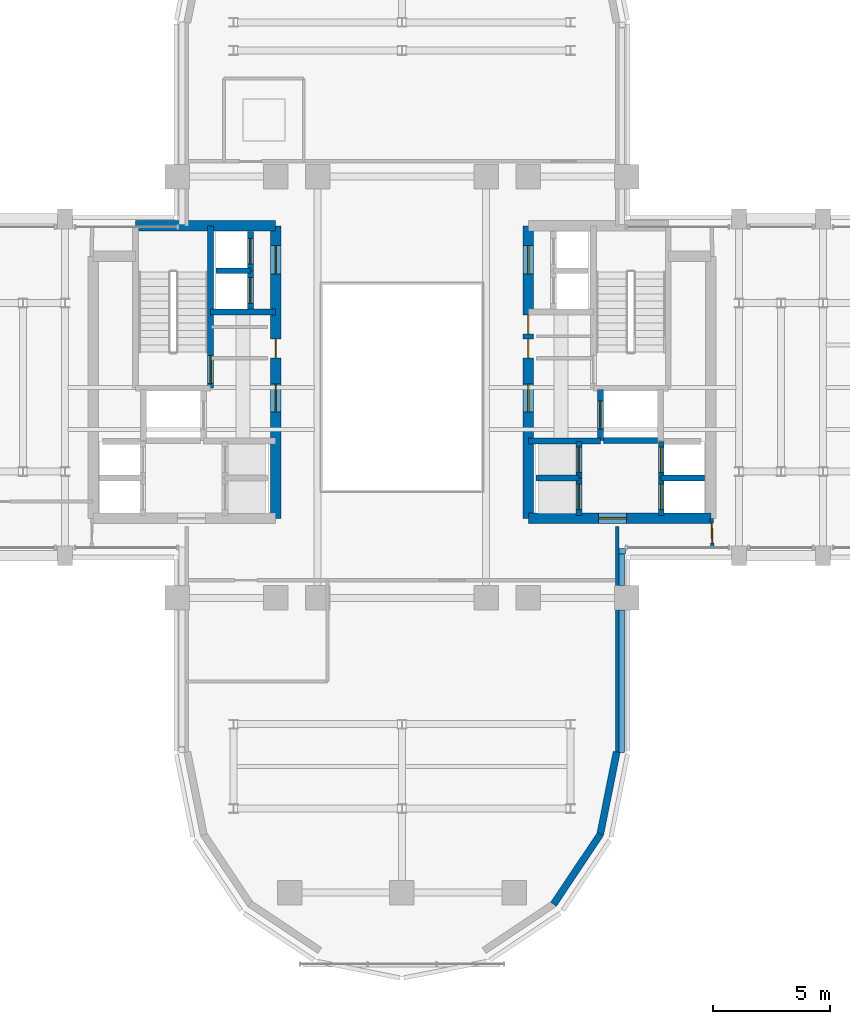
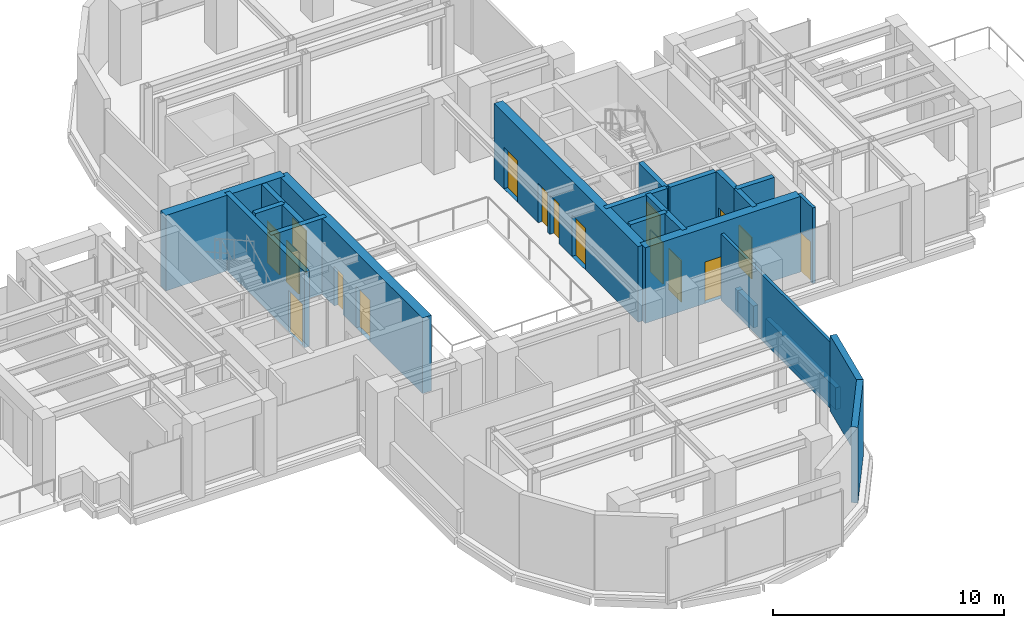
# One storey, part 9 of 16: 25 walls, 17 doors, 17 openings.
"""IFC4 building model written with IfcOpenShell, lengths in metres."""

from ifc_helpers import new_model, si_unit, direction, frame, frame_2d, origin, place, context, subcontext, project, spatial, rectangle, extrude, source, transform, mapped, material, layer, layer_set, type_object, element, fill, save


model = new_model("IFC4")

# Units and contexts
model_context = context("Model", 3, precision=1e-05, world=origin(), true_north=direction((0.0, 1.0)))
body_context = subcontext(model_context, "Body", "Model", "MODEL_VIEW")
ifc_project = project(units=[si_unit("LENGTHUNIT", "METRE"), si_unit("AREAUNIT", "SQUARE_METRE"), si_unit("VOLUMEUNIT", "CUBIC_METRE"), si_unit("PLANEANGLEUNIT", "RADIAN"), si_unit("MASSUNIT", "GRAM", prefix="KILO")], contexts=[model_context])

# Site, building, storey
site_placement = place(None, origin())
site = spatial("IfcSite", under=ifc_project, at=site_placement, CompositionType="ELEMENT")
building_placement = place(site_placement, origin())
building = spatial("IfcBuilding", under=site, at=building_placement, Name="Keilestroom Media Tower", CompositionType="ELEMENT")
storey_placement = place(building_placement, frame((0.0, 0.0, 93.0)))
storey = spatial("IfcBuildingStorey", under=building, at=storey_placement, Name="L24", CompositionType="ELEMENT", Elevation=93.0)

# Walls
ifc_material_1 = material(Name="Precast concrete C40/50", Category="concrete")
ifc_layer_1 = layer(ifc_material_1, 0.300048828125)
ifc_layer_set_1 = layer_set([ifc_layer_1], Name="Precast concrete C40/50")
wall_type_1 = type_object("IfcWallType", Name="Exterior-Masonry-Spandrel-Wall-300", PredefinedType="SOLIDWALL", material=ifc_layer_set_1)
for number, where, z_axis, x_axis, name in (
    (1, (6.47705078125, -22.097900390625, 0.0), (0.0, 0.0, 1.0), (0.555574187116, 0.831466970246, 0.0), "L24 Lobe Facet Precast Frame Wall 11"),
    (2, (8.470703125, -19.12451171875, 0.0), (0.0, 0.0, 1.0), (0.195114232679, 0.980780523974, 0.0), "L24 Lobe Facet Precast Frame Wall 12"),
):
    element("IfcWall", number, at=place(storey_placement, frame(where, z_axis=z_axis, x_axis=x_axis)), inside=storey, type_object=wall_type_1, Name=name, PredefinedType="SOLIDWALL", context=body_context, shape_type="SweptSolid", body=[
        extrude(rectangle(XDim=3.608642578125, YDim=0.300048828125, at=frame_2d((1.80419921875, 0.0))), origin(), (0.0, 0.0, 1.0), 4.0),
    ])
ifc_material_2 = material(Name="Gypsum Plasterboard & Steel Stud", Category="steel")
ifc_layer_2 = layer(ifc_material_2, 0.14990234375)
ifc_layer_set_2 = layer_set([ifc_layer_2], Name="Gypsum Plasterboard & Steel Stud")
wall_type_2 = type_object("IfcWallType", Name="Interior-Partition-Wall-150", PredefinedType="PARTITIONING", material=ifc_layer_set_2)
wall_1_placement = place(storey_placement, frame((9.199951171875, -15.679931640625, 0.0), z_axis=(0.0, 0.0, 1.0), x_axis=(0.0, 1.0, 0.0)))
element("IfcWall", 3, at=wall_1_placement, inside=storey, type_object=wall_type_2, Name="L24 Interior Wall WP-L24-SL-CHKE", PredefinedType="PARTITIONING", context=body_context, shape_type="SweptSolid", body=[
    extrude(rectangle(XDim=9.739990234375, YDim=0.14990234375, at=frame_2d((4.8701171875, 0.0))), origin(), (0.0, 0.0, 1.0), 3.5),
])

# Wall, opening, door
wall_2_placement = place(storey_placement, frame((13.260009765625, -6.85009765625, 0.0), z_axis=(0.0, 0.0, 1.0), x_axis=(-0.016013571389, 0.999871774545, 0.0)))
wall_2 = element("IfcWall", 4, at=wall_2_placement, inside=storey, type_object=wall_type_2, Name="L24 Interior Wall WP-L24-EA-ENTS", PredefinedType="PARTITIONING", context=body_context, shape_type="SweptSolid", body=[
    extrude(rectangle(XDim=1.250244140625, YDim=0.14990234375, at=frame_2d((0.625, 0.0))), origin(), (0.0, 0.0, 1.0), 4.0),
])
opening_1_placement = place(wall_2_placement, frame((0.199951171875, 0.0, 0.0)))
opening_1 = element("IfcOpeningElement", 5, at=opening_1_placement, cuts=wall_2, Name="Opening DI-05", PredefinedType="OPENING", context=body_context, shape_type="SweptSolid", body=[
    extrude(rectangle(XDim=0.85009765625, YDim=2.10009765625, at=frame_2d((0.425048828125, 1.050048828125))), frame((0.0, 0.0849609375, 0.0), z_axis=(0.0, -1.0, 0.0), x_axis=(1.0, 0.0, 0.0)), (0.0, 0.0, 1.0), 0.169921875),
])
ifc_material_3 = material(Name="Moisture-Resistant Oak Leaf", Category="wood")
door_type_1 = type_object("IfcDoorType", Name="Interior-En-Suite-And-Cupboard-Door-DI-05", OperationType="NOTDEFINED", PredefinedType="DOOR", material=ifc_material_3)
shared_shape_1 = source(origin(), body_context, "Body", "SweptSolid", [
    extrude(rectangle(XDim=0.85009765625, YDim=2.10009765625, at=frame_2d((0.425048828125, 1.050048828125))), frame((0.0, 0.02490234375, 0.0), z_axis=(0.0, -1.0, 0.0), x_axis=(1.0, 0.0, 0.0)), (0.0, 0.0, 1.0), 0.050048828125),
])
door_1_placement = place(opening_1_placement, origin())
door_1 = element("IfcDoor", 6, at=door_1_placement, inside=storey, type_object=door_type_1, Name="L24 Interior Door DI-L24-DEA-S", OperationType="SINGLE_SWING_LEFT", OverallHeight=2.10009765625, OverallWidth=0.85009765625, PredefinedType="DOOR", context=body_context, shape_type="MappedRepresentation", body=[
    mapped(shared_shape_1, transform((0.0, 0.0, 0.0), x_axis=(1.0, 0.0, 0.0), y_axis=(0.0, 1.0, 0.0), z_axis=(0.0, 0.0, 1.0), scale=1.0)),
])
fill(opening_1, door_1)

# Wall, openings, doors
ifc_material_4 = material(Name="Concrete C55/67", Category="concrete")
ifc_layer_3 = layer(ifc_material_4, 0.449951171875)
ifc_layer_set_3 = layer_set([ifc_layer_3], Name="Concrete C55/67")
wall_type_3 = type_object("IfcWallType", Name="Reinforced-Concrete-Core-Shear-Wall-450", PredefinedType="SHEAR", material=ifc_layer_set_3)
wall_3_placement = place(storey_placement, frame((-5.39990234375, -5.60009765625, 0.0), z_axis=(0.0, 0.0, 1.0), x_axis=(0.0, 1.0, 0.0)))
wall_3 = element("IfcWall", 7, at=wall_3_placement, inside=storey, type_object=wall_type_3, Name="L24 Core Shear Wall WL-L24-CORE-W-IN", PredefinedType="SHEAR", context=body_context, shape_type="SweptSolid", body=[
    extrude(rectangle(XDim=12.5, YDim=0.449951171875, at=frame_2d((6.25, 0.0))), origin(), (0.0, 0.0, 1.0), 4.0),
])
opening_2_placement = place(wall_3_placement, frame((4.550048828125, 0.0, 0.0)))
opening_2 = element("IfcOpeningElement", 8, at=opening_2_placement, cuts=wall_3, Name="Opening DI-02", PredefinedType="OPENING", context=body_context, shape_type="SweptSolid", body=[
    extrude(rectangle(XDim=1.199951171875, YDim=2.199951171875, at=frame_2d((0.60009765625, 1.10009765625))), frame((0.0, 0.23486328125, 0.0), z_axis=(0.0, -1.0, 0.0), x_axis=(1.0, 0.0, 0.0)), (0.0, 0.0, 1.0), 0.469970703125),
])
opening_3_placement = place(wall_3_placement, frame((10.449951171875, 0.0, 0.0)))
opening_3 = element("IfcOpeningElement", 9, at=opening_3_placement, cuts=wall_3, Name="Opening DI-02", PredefinedType="OPENING", context=body_context, shape_type="SweptSolid", body=[
    extrude(rectangle(XDim=1.199951171875, YDim=2.199951171875, at=frame_2d((0.60009765625, 1.10009765625))), frame((0.0, 0.23486328125, 0.0), z_axis=(0.0, -1.0, 0.0), x_axis=(1.0, 0.0, 0.0)), (0.0, 0.0, 1.0), 0.469970703125),
])
opening_4_placement = place(wall_3_placement, frame((6.860107421875, 0.0, 0.0)))
opening_4 = element("IfcOpeningElement", 10, at=opening_4_placement, cuts=wall_3, Name="Opening DI-06", PredefinedType="OPENING", context=body_context, shape_type="SweptSolid", body=[
    extrude(rectangle(XDim=0.800048828125, YDim=2.10009765625, at=frame_2d((0.39990234375, 1.050048828125))), frame((0.0, 0.23486328125, 0.0), z_axis=(0.0, -1.0, 0.0), x_axis=(1.0, 0.0, 0.0)), (0.0, 0.0, 1.0), 0.469970703125),
])
ifc_material_5 = material(Name="Powder-Coated Steel Fire Leaf", Category="steel")
door_type_2 = type_object("IfcDoorType", Name="Interior-Compartment-Fire-Door-DI-02", OperationType="NOTDEFINED", PredefinedType="DOOR", material=ifc_material_5)
shared_shape_2 = source(origin(), body_context, "Body", "SweptSolid", [
    extrude(rectangle(XDim=1.199951171875, YDim=2.199951171875, at=frame_2d((0.60009765625, 1.10009765625))), frame((0.0, 0.02490234375, 0.0), z_axis=(0.0, -1.0, 0.0), x_axis=(1.0, 0.0, 0.0)), (0.0, 0.0, 1.0), 0.050048828125),
])
door_2_placement = place(opening_2_placement, origin())
door_2 = element("IfcDoor", 11, at=door_2_placement, inside=storey, type_object=door_type_2, Name="L24 W Firefighting Lobby Door", OperationType="SINGLE_SWING_RIGHT", OverallHeight=2.199951171875, OverallWidth=1.199951171875, PredefinedType="DOOR", context=body_context, shape_type="MappedRepresentation", body=[
    mapped(shared_shape_2, transform((0.0, 0.0, 0.0), x_axis=(1.0, 0.0, 0.0), y_axis=(0.0, 1.0, 0.0), z_axis=(0.0, 0.0, 1.0), scale=1.0)),
])
fill(opening_2, door_2)
door_3_placement = place(opening_3_placement, origin())
door_3 = element("IfcDoor", 12, at=door_3_placement, inside=storey, type_object=door_type_2, Name="L24 W High-Rise Lift Lobby Door", OperationType="SINGLE_SWING_LEFT", OverallHeight=2.199951171875, OverallWidth=1.199951171875, PredefinedType="DOOR", context=body_context, shape_type="MappedRepresentation", body=[
    mapped(shared_shape_2, transform((0.0, 0.0, 0.0), x_axis=(1.0, 0.0, 0.0), y_axis=(0.0, 1.0, 0.0), z_axis=(0.0, 0.0, 1.0), scale=1.0)),
])
fill(opening_3, door_3)
ifc_material_6 = material(Name="Powder-Coated Steel Service Leaf", Category="steel")
door_type_3 = type_object("IfcDoorType", Name="Interior-Riser-Access-Door-DI-06", OperationType="NOTDEFINED", PredefinedType="DOOR", material=ifc_material_6)
shared_shape_3 = source(origin(), body_context, "Body", "SweptSolid", [
    extrude(rectangle(XDim=0.800048828125, YDim=2.10009765625, at=frame_2d((0.39990234375, 1.050048828125))), frame((0.0, 0.02490234375, 0.0), z_axis=(0.0, -1.0, 0.0), x_axis=(1.0, 0.0, 0.0)), (0.0, 0.0, 1.0), 0.050048828125),
])
door_4_placement = place(opening_4_placement, origin())
door_4 = element("IfcDoor", 13, at=door_4_placement, inside=storey, type_object=door_type_3, Name="L24 West Core Switchroom Door", OperationType="SINGLE_SWING_LEFT", OverallHeight=2.10009765625, OverallWidth=0.800048828125, PredefinedType="DOOR", context=body_context, shape_type="MappedRepresentation", body=[
    mapped(shared_shape_3, transform((0.0, 0.0, 0.0), x_axis=(1.0, 0.0, 0.0), y_axis=(0.0, 1.0, 0.0), z_axis=(0.0, 0.0, 1.0), scale=1.0)),
])
fill(opening_4, door_4)

# Wall
wall_4_placement = place(storey_placement, frame((-11.381103515625, 6.89990234375, 0.0), z_axis=(0.0, 0.0, 1.0), x_axis=(1.0, 0.0, 0.0)))
element("IfcWall", 14, at=wall_4_placement, inside=storey, type_object=wall_type_3, Name="L24 Core Shear Wall WL-L24-CORE-W-N", PredefinedType="SHEAR", context=body_context, shape_type="SweptSolid", body=[
    extrude(rectangle(XDim=5.981201171875, YDim=0.449951171875, at=frame_2d((2.99072265625, 0.0))), origin(), (0.0, 0.0, 1.0), 4.0),
])

# Wall, openings, doors
wall_5_placement = place(storey_placement, frame((5.39990234375, -5.60009765625, 0.0), z_axis=(0.0, 0.0, 1.0), x_axis=(0.0, 1.0, 0.0)))
wall_5 = element("IfcWall", 15, at=wall_5_placement, inside=storey, type_object=wall_type_3, Name="L24 Core Shear Wall WL-L24-CORE-E-IN", PredefinedType="SHEAR", context=body_context, shape_type="SweptSolid", body=[
    extrude(rectangle(XDim=12.5, YDim=0.449951171875, at=frame_2d((6.25, 0.0))), origin(), (0.0, 0.0, 1.0), 4.0),
])
opening_5_placement = place(wall_5_placement, frame((4.550048828125, 0.0, 0.0)))
opening_5 = element("IfcOpeningElement", 16, at=opening_5_placement, cuts=wall_5, Name="Opening DI-02", PredefinedType="OPENING", context=body_context, shape_type="SweptSolid", body=[
    extrude(rectangle(XDim=1.199951171875, YDim=2.199951171875, at=frame_2d((0.60009765625, 1.10009765625))), frame((0.0, 0.23486328125, 0.0), z_axis=(0.0, -1.0, 0.0), x_axis=(1.0, 0.0, 0.0)), (0.0, 0.0, 1.0), 0.469970703125),
])
opening_6_placement = place(wall_5_placement, frame((10.449951171875, 0.0, 0.0)))
opening_6 = element("IfcOpeningElement", 17, at=opening_6_placement, cuts=wall_5, Name="Opening DI-02", PredefinedType="OPENING", context=body_context, shape_type="SweptSolid", body=[
    extrude(rectangle(XDim=1.199951171875, YDim=2.199951171875, at=frame_2d((0.60009765625, 1.10009765625))), frame((0.0, 0.23486328125, 0.0), z_axis=(0.0, -1.0, 0.0), x_axis=(1.0, 0.0, 0.0)), (0.0, 0.0, 1.0), 0.469970703125),
])
opening_7_placement = place(wall_5_placement, frame((6.860107421875, 0.0, 0.0)))
opening_7 = element("IfcOpeningElement", 18, at=opening_7_placement, cuts=wall_5, Name="Opening DI-06", PredefinedType="OPENING", context=body_context, shape_type="SweptSolid", body=[
    extrude(rectangle(XDim=0.800048828125, YDim=2.10009765625, at=frame_2d((0.39990234375, 1.050048828125))), frame((0.0, 0.23486328125, 0.0), z_axis=(0.0, -1.0, 0.0), x_axis=(1.0, 0.0, 0.0)), (0.0, 0.0, 1.0), 0.469970703125),
])
opening_8_placement = place(wall_5_placement, frame((7.8798828125, 0.0, 0.0)))
opening_8 = element("IfcOpeningElement", 19, at=opening_8_placement, cuts=wall_5, Name="Opening DI-06", PredefinedType="OPENING", context=body_context, shape_type="SweptSolid", body=[
    extrude(rectangle(XDim=0.800048828125, YDim=2.10009765625, at=frame_2d((0.39990234375, 1.050048828125))), frame((0.0, 0.23486328125, 0.0), z_axis=(0.0, -1.0, 0.0), x_axis=(1.0, 0.0, 0.0)), (0.0, 0.0, 1.0), 0.469970703125),
])
door_5_placement = place(opening_5_placement, origin())
door_5 = element("IfcDoor", 20, at=door_5_placement, inside=storey, type_object=door_type_2, Name="L24 E Firefighting Lobby Door", OperationType="SINGLE_SWING_LEFT", OverallHeight=2.199951171875, OverallWidth=1.199951171875, PredefinedType="DOOR", context=body_context, shape_type="MappedRepresentation", body=[
    mapped(shared_shape_2, transform((0.0, 0.0, 0.0), x_axis=(1.0, 0.0, 0.0), y_axis=(0.0, 1.0, 0.0), z_axis=(0.0, 0.0, 1.0), scale=1.0)),
])
fill(opening_5, door_5)
door_6_placement = place(opening_6_placement, origin())
door_6 = element("IfcDoor", 21, at=door_6_placement, inside=storey, type_object=door_type_2, Name="L24 E High-Rise Lift Lobby Door", OperationType="SINGLE_SWING_RIGHT", OverallHeight=2.199951171875, OverallWidth=1.199951171875, PredefinedType="DOOR", context=body_context, shape_type="MappedRepresentation", body=[
    mapped(shared_shape_2, transform((0.0, 0.0, 0.0), x_axis=(1.0, 0.0, 0.0), y_axis=(0.0, 1.0, 0.0), z_axis=(0.0, 0.0, 1.0), scale=1.0)),
])
fill(opening_6, door_6)
door_7_placement = place(opening_7_placement, origin())
door_7 = element("IfcDoor", 22, at=door_7_placement, inside=storey, type_object=door_type_3, Name="L24 East Core Telecom Door", OperationType="SINGLE_SWING_RIGHT", OverallHeight=2.10009765625, OverallWidth=0.800048828125, PredefinedType="DOOR", context=body_context, shape_type="MappedRepresentation", body=[
    mapped(shared_shape_3, transform((0.0, 0.0, 0.0), x_axis=(1.0, 0.0, 0.0), y_axis=(0.0, 1.0, 0.0), z_axis=(0.0, 0.0, 1.0), scale=1.0)),
])
fill(opening_7, door_7)
door_8_placement = place(opening_8_placement, origin())
door_8 = element("IfcDoor", 23, at=door_8_placement, inside=storey, type_object=door_type_3, Name="L24 East Core Closet Door", OperationType="SINGLE_SWING_RIGHT", OverallHeight=2.10009765625, OverallWidth=0.800048828125, PredefinedType="DOOR", context=body_context, shape_type="MappedRepresentation", body=[
    mapped(shared_shape_3, transform((0.0, 0.0, 0.0), x_axis=(1.0, 0.0, 0.0), y_axis=(0.0, 1.0, 0.0), z_axis=(0.0, 0.0, 1.0), scale=1.0)),
])
fill(opening_8, door_8)

# Wall, opening, door
wall_6_placement = place(storey_placement, frame((5.39990234375, -5.60009765625, 0.0), z_axis=(0.0, 0.0, 1.0), x_axis=(1.0, 0.0, 0.0)))
wall_6 = element("IfcWall", 24, at=wall_6_placement, inside=storey, type_object=wall_type_3, Name="L24 Core Shear Wall WL-L24-CORE-E-S", PredefinedType="SHEAR", context=body_context, shape_type="SweptSolid", body=[
    extrude(rectangle(XDim=7.800048828125, YDim=0.449951171875, at=frame_2d((3.89990234375, 0.0))), origin(), (0.0, 0.0, 1.0), 4.0),
])
opening_9_placement = place(wall_6_placement, frame((3.0, 0.0, 0.0)))
opening_9 = element("IfcOpeningElement", 25, at=opening_9_placement, cuts=wall_6, Name="Opening DI-02", PredefinedType="OPENING", context=body_context, shape_type="SweptSolid", body=[
    extrude(rectangle(XDim=1.199951171875, YDim=2.199951171875, at=frame_2d((0.60009765625, 1.10009765625))), frame((0.0, 0.23486328125, 0.0), z_axis=(0.0, -1.0, 0.0), x_axis=(1.0, 0.0, 0.0)), (0.0, 0.0, 1.0), 0.469970703125),
])
door_9_placement = place(opening_9_placement, origin())
door_9 = element("IfcDoor", 26, at=door_9_placement, inside=storey, type_object=door_type_2, Name="L24 E Passenger Lift Lobby Door", OperationType="SINGLE_SWING_RIGHT", OverallHeight=2.199951171875, OverallWidth=1.199951171875, PredefinedType="DOOR", context=body_context, shape_type="MappedRepresentation", body=[
    mapped(shared_shape_2, transform((0.0, 0.0, 0.0), x_axis=(1.0, 0.0, 0.0), y_axis=(0.0, 1.0, 0.0), z_axis=(0.0, 0.0, 1.0), scale=1.0)),
])
fill(opening_9, door_9)

# Wall
ifc_material_7 = material(Name="Concrete C50/60", Category="concrete")
ifc_layer_4 = layer(ifc_material_7, 0.25)
ifc_layer_set_4 = layer_set([ifc_layer_4], Name="Concrete C50/60")
wall_type_4 = type_object("IfcWallType", Name="Reinforced-Concrete-Shaft-Wall-250", PredefinedType="SOLIDWALL", material=ifc_layer_set_4)
wall_7_placement = place(storey_placement, frame((-8.179931640625, 3.219970703125, 0.0), z_axis=(0.0, 0.0, 1.0), x_axis=(1.0, 0.0, 0.0)))
element("IfcWall", 27, at=wall_7_placement, inside=storey, type_object=wall_type_4, Name="L24 Core Shear Wall WL-L24-CORE-W-FFN", PredefinedType="SOLIDWALL", context=body_context, shape_type="SweptSolid", body=[
    extrude(rectangle(XDim=2.780029296875, YDim=0.25, at=frame_2d((1.39013671875, 0.0))), origin(), (0.0, 0.0, 1.0), 4.0),
])

# Wall, opening, door
wall_8_placement = place(storey_placement, frame((-8.178955078125, -0.041015625, 0.0), z_axis=(0.0, 0.0, 1.0), x_axis=(0.0, 1.0, 0.0)))
wall_8 = element("IfcWall", 28, at=wall_8_placement, inside=storey, type_object=wall_type_4, Name="L24 Core Shear Wall WL-L24-STW-W-NEAR", PredefinedType="SOLIDWALL", context=body_context, shape_type="SweptSolid", body=[
    extrude(rectangle(XDim=6.94091796875, YDim=0.25, at=frame_2d((3.470458984375, 0.0))), origin(), (0.0, 0.0, 1.0), 4.0),
])
opening_10_placement = place(wall_8_placement, frame((0.199951171875, 0.0, 0.0)))
opening_10 = element("IfcOpeningElement", 29, at=opening_10_placement, cuts=wall_8, Name="Opening DI-01S", PredefinedType="OPENING", context=body_context, shape_type="SweptSolid", body=[
    extrude(rectangle(XDim=1.199951171875, YDim=2.199951171875, at=frame_2d((0.60009765625, 1.10009765625))), frame((0.0, 0.135009765625, 0.0), z_axis=(0.0, -1.0, 0.0), x_axis=(1.0, 0.0, 0.0)), (0.0, 0.0, 1.0), 0.27001953125),
])
door_type_4 = type_object("IfcDoorType", Name="Interior-Stair-And-Core-Fire-Door-DI-01", OperationType="NOTDEFINED", PredefinedType="DOOR", material=ifc_material_5)
door_10_placement = place(opening_10_placement, origin())
door_10 = element("IfcDoor", 30, at=door_10_placement, inside=storey, type_object=door_type_4, Name="L24 Escape Stair ST-1 Fire Door", OperationType="SINGLE_SWING_LEFT", OverallHeight=2.199951171875, OverallWidth=1.199951171875, PredefinedType="DOOR", context=body_context, shape_type="MappedRepresentation", body=[
    mapped(shared_shape_2, transform((0.0, 0.0, 0.0), x_axis=(1.0, 0.0, 0.0), y_axis=(0.0, 1.0, 0.0), z_axis=(0.0, 0.0, 1.0), scale=1.0)),
])
fill(opening_10, door_10)

# Wall
wall_9_placement = place(storey_placement, frame((5.39990234375, -2.300048828125, 0.0), z_axis=(0.0, 0.0, 1.0), x_axis=(1.0, 0.0, 0.0)))
element("IfcWall", 31, at=wall_9_placement, inside=storey, type_object=wall_type_4, Name="L24 Core Shear Wall WL-L24-CORE-E-FFS", PredefinedType="SOLIDWALL", context=body_context, shape_type="SweptSolid", body=[
    extrude(rectangle(XDim=3.080078125, YDim=0.25, at=frame_2d((1.5400390625, 0.0))), origin(), (0.0, 0.0, 1.0), 4.0),
])

# Wall, opening, door
wall_10_placement = place(storey_placement, frame((8.47998046875, -2.280029296875, 0.0), z_axis=(0.0, 0.0, 1.0), x_axis=(0.0, 1.0, 0.0)))
wall_10 = element("IfcWall", 32, at=wall_10_placement, inside=storey, type_object=wall_type_4, Name="L24 Core Shear Wall WL-L24-LSH-FFL-2-W", PredefinedType="SOLIDWALL", context=body_context, shape_type="SweptSolid", body=[
    extrude(rectangle(XDim=2.179931640625, YDim=0.25, at=frame_2d((1.08984375, 0.0))), origin(), (0.0, 0.0, 1.0), 4.0),
])
opening_11_placement = place(wall_10_placement, frame((0.489990234375, 0.0, 0.0)))
opening_11 = element("IfcOpeningElement", 33, at=opening_11_placement, cuts=wall_10, Name="Opening LD-02", PredefinedType="OPENING", context=body_context, shape_type="SweptSolid", body=[
    extrude(rectangle(XDim=1.199951171875, YDim=2.199951171875, at=frame_2d((0.60009765625, 1.10009765625))), frame((0.0, 0.135009765625, 0.0), z_axis=(0.0, -1.0, 0.0), x_axis=(1.0, 0.0, 0.0)), (0.0, 0.0, 1.0), 0.27001953125),
])
ifc_material_8 = material(Name="Brushed Stainless Steel Sliding Leaf", Category="steel")
door_type_5 = type_object("IfcDoorType", Name="Lift-Landing-Sliding-Door-LD-02", OperationType="SLIDING_TO_RIGHT", PredefinedType="DOOR", material=ifc_material_8)
door_11_placement = place(opening_11_placement, origin())
door_11 = element("IfcDoor", 34, at=door_11_placement, inside=storey, type_object=door_type_5, Name="L24 Lift FFL-2 Landing Sliding Door", OperationType="SLIDING_TO_RIGHT", OverallHeight=2.199951171875, OverallWidth=1.199951171875, PredefinedType="DOOR", context=body_context, shape_type="MappedRepresentation", body=[
    mapped(shared_shape_2, transform((0.0, 0.0, 0.0), x_axis=(1.0, 0.0, 0.0), y_axis=(0.0, 1.0, 0.0), z_axis=(0.0, 0.0, 1.0), scale=1.0)),
])
fill(opening_11, door_11)

# Wall
wall_11_placement = place(storey_placement, frame((8.60888671875, -2.280029296875, 0.0), z_axis=(0.0, 0.0, 1.0), x_axis=(1.0, 0.0, 0.0)))
element("IfcWall", 35, at=wall_11_placement, inside=storey, type_object=wall_type_4, Name="L24 Core Shear Wall WL-L24-LSH-FFL-2-S", PredefinedType="SOLIDWALL", context=body_context, shape_type="SweptSolid", body=[
    extrude(rectangle(XDim=2.31201171875, YDim=0.25, at=frame_2d((1.156005859375, 0.0))), origin(), (0.0, 0.0, 1.0), 4.0),
])

# Wall, opening, door
wall_12_placement = place(storey_placement, frame((11.080078125, -5.47998046875, 0.0), z_axis=(0.0, 0.0, 1.0), x_axis=(0.0, 1.0, 0.0)))
wall_12 = element("IfcWall", 36, at=wall_12_placement, inside=storey, type_object=wall_type_4, Name="L24 Core Shear Wall WL-L24-LSH-PL-L3-W", PredefinedType="SOLIDWALL", context=body_context, shape_type="SweptSolid", body=[
    extrude(rectangle(XDim=1.60009765625, YDim=0.25, at=frame_2d((0.800048828125, 0.0))), origin(), (0.0, 0.0, 1.0), 4.0),
])
opening_12_placement = place(wall_12_placement, frame((0.25, 0.0, 0.0)))
opening_12 = element("IfcOpeningElement", 37, at=opening_12_placement, cuts=wall_12, Name="Opening LD-01", PredefinedType="OPENING", context=body_context, shape_type="SweptSolid", body=[
    extrude(rectangle(XDim=1.10009765625, YDim=2.199951171875, at=frame_2d((0.550048828125, 1.10009765625))), frame((0.0, 0.135009765625, 0.0), z_axis=(0.0, -1.0, 0.0), x_axis=(1.0, 0.0, 0.0)), (0.0, 0.0, 1.0), 0.27001953125),
])
door_type_6 = type_object("IfcDoorType", Name="Lift-Landing-Sliding-Door-LD-01", OperationType="SLIDING_TO_LEFT", PredefinedType="DOOR", material=ifc_material_8)
shared_shape_4 = source(origin(), body_context, "Body", "SweptSolid", [
    extrude(rectangle(XDim=1.10009765625, YDim=2.199951171875, at=frame_2d((0.550048828125, 1.10009765625))), frame((0.0, 0.02490234375, 0.0), z_axis=(0.0, -1.0, 0.0), x_axis=(1.0, 0.0, 0.0)), (0.0, 0.0, 1.0), 0.050048828125),
])
door_12_placement = place(opening_12_placement, origin())
door_12 = element("IfcDoor", 38, at=door_12_placement, inside=storey, type_object=door_type_6, Name="L24 Lift PL-L3 Landing Sliding Door", OperationType="SLIDING_TO_LEFT", OverallHeight=2.199951171875, OverallWidth=1.10009765625, PredefinedType="DOOR", context=body_context, shape_type="MappedRepresentation", body=[
    mapped(shared_shape_4, transform((0.0, 0.0, 0.0), x_axis=(1.0, 0.0, 0.0), y_axis=(0.0, 1.0, 0.0), z_axis=(0.0, 0.0, 1.0), scale=1.0)),
])
fill(opening_12, door_12)

# Wall
wall_13_placement = place(storey_placement, frame((11.080078125, -3.8798828125, 0.0), z_axis=(0.0, 0.0, 1.0), x_axis=(1.0, 0.0, 0.0)))
element("IfcWall", 39, at=wall_13_placement, inside=storey, type_object=wall_type_4, Name="L24 Core Shear Wall WL-L24-LSH-PL-L3-N", PredefinedType="SOLIDWALL", context=body_context, shape_type="SweptSolid", body=[
    extrude(rectangle(XDim=1.83984375, YDim=0.25, at=frame_2d((0.919921875, 0.0))), origin(), (0.0, 0.0, 1.0), 4.0),
])

# Wall, opening, door
wall_14_placement = place(storey_placement, frame((11.080078125, -3.8798828125, 0.0), z_axis=(0.0, 0.0, 1.0), x_axis=(0.0, 1.0, 0.0)))
wall_14 = element("IfcWall", 40, at=wall_14_placement, inside=storey, type_object=wall_type_4, Name="L24 Core Shear Wall WL-L24-LSH-PL-L4-W", PredefinedType="SOLIDWALL", context=body_context, shape_type="SweptSolid", body=[
    extrude(rectangle(XDim=1.559814453125, YDim=0.25, at=frame_2d((0.77978515625, 0.0))), origin(), (0.0, 0.0, 1.0), 4.0),
])
opening_13_placement = place(wall_14_placement, frame((0.22998046875, 0.0, 0.0)))
opening_13 = element("IfcOpeningElement", 41, at=opening_13_placement, cuts=wall_14, Name="Opening LD-01", PredefinedType="OPENING", context=body_context, shape_type="SweptSolid", body=[
    extrude(rectangle(XDim=1.10009765625, YDim=2.199951171875, at=frame_2d((0.550048828125, 1.10009765625))), frame((0.0, 0.135009765625, 0.0), z_axis=(0.0, -1.0, 0.0), x_axis=(1.0, 0.0, 0.0)), (0.0, 0.0, 1.0), 0.27001953125),
])
door_13_placement = place(opening_13_placement, origin())
door_13 = element("IfcDoor", 42, at=door_13_placement, inside=storey, type_object=door_type_6, Name="L24 Lift PL-L4 Landing Sliding Door", OperationType="SLIDING_TO_LEFT", OverallHeight=2.199951171875, OverallWidth=1.10009765625, PredefinedType="DOOR", context=body_context, shape_type="MappedRepresentation", body=[
    mapped(shared_shape_4, transform((0.0, 0.0, 0.0), x_axis=(1.0, 0.0, 0.0), y_axis=(0.0, 1.0, 0.0), z_axis=(0.0, 0.0, 1.0), scale=1.0)),
])
fill(opening_13, door_13)

wall_15_placement = place(storey_placement, frame((7.56005859375, -5.47998046875, 0.0), z_axis=(0.0, 0.0, 1.0), x_axis=(0.0, 1.0, 0.0)))
wall_15 = element("IfcWall", 43, at=wall_15_placement, inside=storey, type_object=wall_type_4, Name="L24 Core Shear Wall WL-L24-LSH-PL-M3-E", PredefinedType="SOLIDWALL", context=body_context, shape_type="SweptSolid", body=[
    extrude(rectangle(XDim=1.60009765625, YDim=0.25, at=frame_2d((0.800048828125, 0.0))), origin(), (0.0, 0.0, 1.0), 4.0),
])
opening_14_placement = place(wall_15_placement, frame((0.25, 0.0, 0.0)))
opening_14 = element("IfcOpeningElement", 44, at=opening_14_placement, cuts=wall_15, Name="Opening LD-01", PredefinedType="OPENING", context=body_context, shape_type="SweptSolid", body=[
    extrude(rectangle(XDim=1.10009765625, YDim=2.199951171875, at=frame_2d((0.550048828125, 1.10009765625))), frame((0.0, 0.135009765625, 0.0), z_axis=(0.0, -1.0, 0.0), x_axis=(1.0, 0.0, 0.0)), (0.0, 0.0, 1.0), 0.27001953125),
])
door_14_placement = place(opening_14_placement, origin())
door_14 = element("IfcDoor", 45, at=door_14_placement, inside=storey, type_object=door_type_6, Name="L24 Lift PL-M3 Landing Sliding Door", OperationType="SLIDING_TO_LEFT", OverallHeight=2.199951171875, OverallWidth=1.10009765625, PredefinedType="DOOR", context=body_context, shape_type="MappedRepresentation", body=[
    mapped(shared_shape_4, transform((0.0, 0.0, 0.0), x_axis=(1.0, 0.0, 0.0), y_axis=(0.0, 1.0, 0.0), z_axis=(0.0, 0.0, 1.0), scale=1.0)),
])
fill(opening_14, door_14)

# Wall
wall_16_placement = place(storey_placement, frame((5.719970703125, -3.8798828125, 0.0), z_axis=(0.0, 0.0, 1.0), x_axis=(1.0, 0.0, 0.0)))
element("IfcWall", 46, at=wall_16_placement, inside=storey, type_object=wall_type_4, Name="L24 Core Shear Wall WL-L24-LSH-PL-M3-N", PredefinedType="SOLIDWALL", context=body_context, shape_type="SweptSolid", body=[
    extrude(rectangle(XDim=1.840087890625, YDim=0.25, at=frame_2d((0.919921875, 0.0))), origin(), (0.0, 0.0, 1.0), 4.0),
])

# Wall, opening, door
wall_17_placement = place(storey_placement, frame((7.56005859375, -3.8798828125, 0.0), z_axis=(0.0, 0.0, 1.0), x_axis=(0.0, 1.0, 0.0)))
wall_17 = element("IfcWall", 47, at=wall_17_placement, inside=storey, type_object=wall_type_4, Name="L24 Core Shear Wall WL-L24-LSH-PL-M4-E", PredefinedType="SOLIDWALL", context=body_context, shape_type="SweptSolid", body=[
    extrude(rectangle(XDim=1.559814453125, YDim=0.25, at=frame_2d((0.77978515625, 0.0))), origin(), (0.0, 0.0, 1.0), 4.0),
])
opening_15_placement = place(wall_17_placement, frame((0.22998046875, 0.0, 0.0)))
opening_15 = element("IfcOpeningElement", 48, at=opening_15_placement, cuts=wall_17, Name="Opening LD-01", PredefinedType="OPENING", context=body_context, shape_type="SweptSolid", body=[
    extrude(rectangle(XDim=1.10009765625, YDim=2.199951171875, at=frame_2d((0.550048828125, 1.10009765625))), frame((0.0, 0.135009765625, 0.0), z_axis=(0.0, -1.0, 0.0), x_axis=(1.0, 0.0, 0.0)), (0.0, 0.0, 1.0), 0.27001953125),
])
door_15_placement = place(opening_15_placement, origin())
door_15 = element("IfcDoor", 49, at=door_15_placement, inside=storey, type_object=door_type_6, Name="L24 Lift PL-M4 Landing Sliding Door", OperationType="SLIDING_TO_LEFT", OverallHeight=2.199951171875, OverallWidth=1.10009765625, PredefinedType="DOOR", context=body_context, shape_type="MappedRepresentation", body=[
    mapped(shared_shape_4, transform((0.0, 0.0, 0.0), x_axis=(1.0, 0.0, 0.0), y_axis=(0.0, 1.0, 0.0), z_axis=(0.0, 0.0, 1.0), scale=1.0)),
])
fill(opening_15, door_15)

wall_18_placement = place(storey_placement, frame((-6.47998046875, 3.300048828125, 0.0), z_axis=(0.0, 0.0, 1.0), x_axis=(0.0, 1.0, 0.0)))
wall_18 = element("IfcWall", 50, at=wall_18_placement, inside=storey, type_object=wall_type_4, Name="L24 Core Shear Wall WL-L24-LSH-PL-H1-E", PredefinedType="SOLIDWALL", context=body_context, shape_type="SweptSolid", body=[
    extrude(rectangle(XDim=1.679931640625, YDim=0.25, at=frame_2d((0.83984375, 0.0))), origin(), (0.0, 0.0, 1.0), 4.0),
])
opening_16_placement = place(wall_18_placement, frame((0.2900390625, 0.0, 0.0)))
opening_16 = element("IfcOpeningElement", 51, at=opening_16_placement, cuts=wall_18, Name="Opening LD-01", PredefinedType="OPENING", context=body_context, shape_type="SweptSolid", body=[
    extrude(rectangle(XDim=1.10009765625, YDim=2.199951171875, at=frame_2d((0.550048828125, 1.10009765625))), frame((0.0, 0.135009765625, 0.0), z_axis=(0.0, -1.0, 0.0), x_axis=(1.0, 0.0, 0.0)), (0.0, 0.0, 1.0), 0.27001953125),
])
door_16_placement = place(opening_16_placement, origin())
door_16 = element("IfcDoor", 52, at=door_16_placement, inside=storey, type_object=door_type_6, Name="L24 Lift PL-H1 Landing Sliding Door", OperationType="SLIDING_TO_LEFT", OverallHeight=2.199951171875, OverallWidth=1.10009765625, PredefinedType="DOOR", context=body_context, shape_type="MappedRepresentation", body=[
    mapped(shared_shape_4, transform((0.0, 0.0, 0.0), x_axis=(1.0, 0.0, 0.0), y_axis=(0.0, 1.0, 0.0), z_axis=(0.0, 0.0, 1.0), scale=1.0)),
])
fill(opening_16, door_16)

# Wall
wall_19_placement = place(storey_placement, frame((-7.949951171875, 4.97998046875, 0.0), z_axis=(0.0, 0.0, 1.0), x_axis=(1.0, 0.0, 0.0)))
element("IfcWall", 53, at=wall_19_placement, inside=storey, type_object=wall_type_4, Name="L24 Core Shear Wall WL-L24-LSH-PL-H1-N", PredefinedType="SOLIDWALL", context=body_context, shape_type="SweptSolid", body=[
    extrude(rectangle(XDim=1.469970703125, YDim=0.25, at=frame_2d((0.73486328125, 0.0))), origin(), (0.0, 0.0, 1.0), 4.0),
])

# Wall, opening, door
wall_20_placement = place(storey_placement, frame((-6.47998046875, 4.97998046875, 0.0), z_axis=(0.0, 0.0, 1.0), x_axis=(0.0, 1.0, 0.0)))
wall_20 = element("IfcWall", 54, at=wall_20_placement, inside=storey, type_object=wall_type_4, Name="L24 Core Shear Wall WL-L24-LSH-PL-H2-E", PredefinedType="SOLIDWALL", context=body_context, shape_type="SweptSolid", body=[
    extrude(rectangle(XDim=1.669921875, YDim=0.25, at=frame_2d((0.8349609375, 0.0))), origin(), (0.0, 0.0, 1.0), 4.0),
])
opening_17_placement = place(wall_20_placement, frame((0.284912109375, 0.0, 0.0)))
opening_17 = element("IfcOpeningElement", 55, at=opening_17_placement, cuts=wall_20, Name="Opening LD-01", PredefinedType="OPENING", context=body_context, shape_type="SweptSolid", body=[
    extrude(rectangle(XDim=1.10009765625, YDim=2.199951171875, at=frame_2d((0.550048828125, 1.10009765625))), frame((0.0, 0.135009765625, 0.0), z_axis=(0.0, -1.0, 0.0), x_axis=(1.0, 0.0, 0.0)), (0.0, 0.0, 1.0), 0.27001953125),
])
door_17_placement = place(opening_17_placement, origin())
door_17 = element("IfcDoor", 56, at=door_17_placement, inside=storey, type_object=door_type_6, Name="L24 Lift PL-H2 Landing Sliding Door", OperationType="SLIDING_TO_LEFT", OverallHeight=2.199951171875, OverallWidth=1.10009765625, PredefinedType="DOOR", context=body_context, shape_type="MappedRepresentation", body=[
    mapped(shared_shape_4, transform((0.0, 0.0, 0.0), x_axis=(1.0, 0.0, 0.0), y_axis=(0.0, 1.0, 0.0), z_axis=(0.0, 0.0, 1.0), scale=1.0)),
])
fill(opening_17, door_17)

# Walls
ifc_layer_5 = layer(ifc_material_1, 0.239990234375)
ifc_layer_set_5 = layer_set([ifc_layer_5], Name="Precast concrete C40/50")
wall_type_5 = type_object("IfcWallType", Name="Roof-And-Terrace-Parapet-Wall-240", PredefinedType="PARAPET", material=ifc_layer_set_5)
wall_21_placement = place(storey_placement, frame((9.547119140625, -7.0, 0.0), z_axis=(0.0, 0.0, 1.0), x_axis=(-1.0, 0.0, 0.0)))
element("IfcWall", 57, at=wall_21_placement, inside=storey, type_object=wall_type_5, Name="L24 Perimeter Edge Parapet Wall 05", PredefinedType="PARAPET", context=body_context, shape_type="SweptSolid", body=[
    extrude(rectangle(XDim=0.26904296875, YDim=0.239990234375, at=frame_2d((0.134521484375, 0.0))), origin(), (0.0, 0.0, 1.0), 1.14990234375),
])
wall_22_placement = place(storey_placement, frame((9.39990234375, -7.123046875, 0.0), z_axis=(0.0, 0.0, 1.0), x_axis=(0.0, -1.0, 0.0)))
element("IfcWall", 58, at=wall_22_placement, inside=storey, type_object=wall_type_5, Name="L24 Perimeter Edge Parapet Wall 06", PredefinedType="PARAPET", context=body_context, shape_type="SweptSolid", body=[
    extrude(rectangle(XDim=1.348876953125, YDim=0.239990234375, at=frame_2d((0.67431640625, 0.0))), origin(), (0.0, 0.0, 1.0), 1.14990234375),
])
wall_23_placement = place(storey_placement, frame((9.39990234375, -9.528076171875, 0.0), z_axis=(0.0, 0.0, 1.0), x_axis=(0.0, -1.0, 0.0)))
element("IfcWall", 59, at=wall_23_placement, inside=storey, type_object=wall_type_5, Name="L24 Perimeter Edge Parapet Wall 07", PredefinedType="PARAPET", context=body_context, shape_type="SweptSolid", body=[
    extrude(rectangle(XDim=6.07470703125, YDim=0.239990234375, at=frame_2d((3.037353515625, 0.0))), origin(), (0.0, 0.0, 1.0), 1.14990234375),
])

save(model, "model.ifc")
